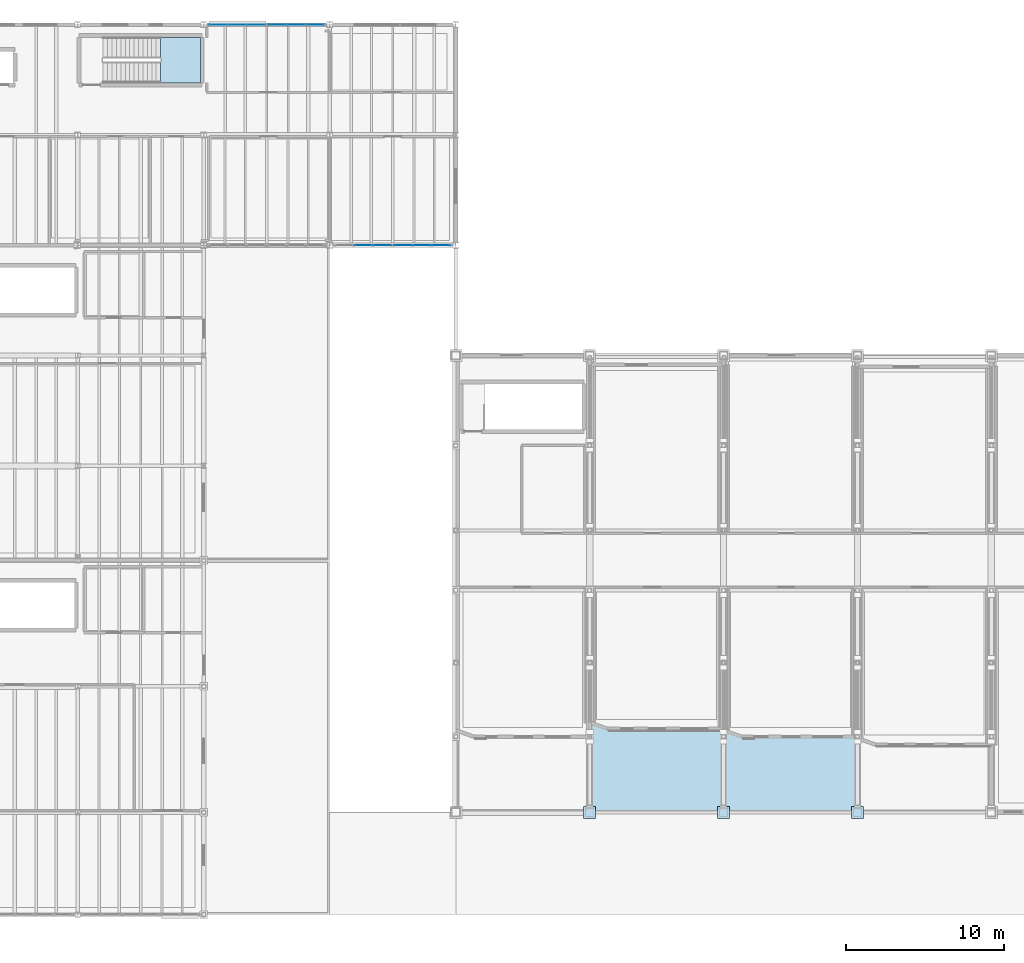
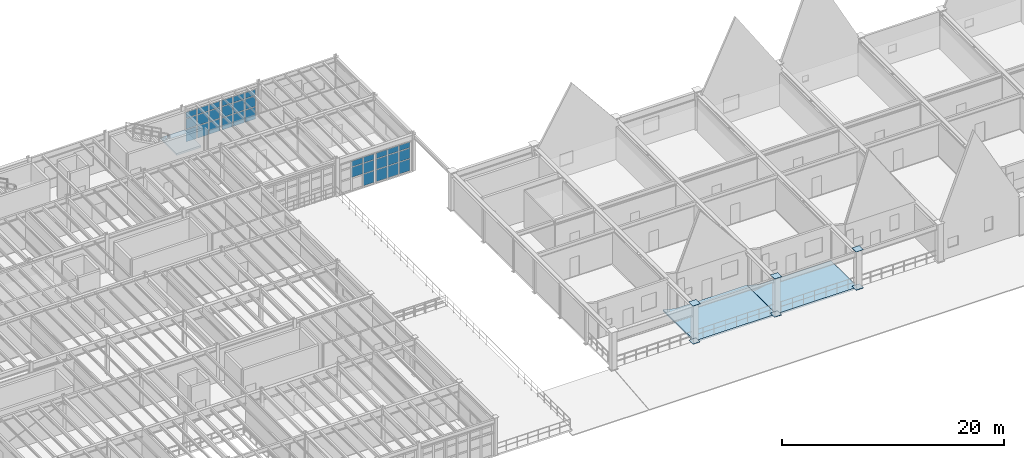
# One storey, part 50 of 78: 38 plates, 3 slabs, 5 elements without a shape of their own.
"""IFC4 building model written with IfcOpenShell, lengths in metres."""

from ifc_helpers import new_model, si_unit, direction, frame, origin, origin_2d, place, context, subcontext, project, spatial, polyline, rectangle, outline, extrude, material, layer, layer_set, material_profile, profile_set, type_object, element, aggregate, save


model = new_model("IFC4")

# Units and contexts
model_context = context("Model", 3, precision=1e-05, world=origin(), true_north=direction((0.0, 1.0)))
body_context = subcontext(model_context, "Body", "Model", "MODEL_VIEW")
ifc_project = project(units=[si_unit("LENGTHUNIT", "METRE"), si_unit("AREAUNIT", "SQUARE_METRE"), si_unit("VOLUMEUNIT", "CUBIC_METRE"), si_unit("PLANEANGLEUNIT", "RADIAN"), si_unit("MASSUNIT", "GRAM", prefix="KILO"), si_unit("THERMODYNAMICTEMPERATUREUNIT", "KELVIN"), si_unit("POWERUNIT", "WATT")], contexts=[model_context])

# Site, building, storey
site_placement = place(None, origin())
site = spatial("IfcSite", under=ifc_project, at=site_placement, CompositionType="ELEMENT")
building_placement = place(site_placement, origin())
building = spatial("IfcBuilding", under=site, at=building_placement, Name="Zhenchuan Central Fire Station", CompositionType="ELEMENT")
storey_placement = place(building_placement, frame((0.0, 0.0, 5.85009765625)))
storey = spatial("IfcBuildingStorey", under=building, at=storey_placement, Name="L02", CompositionType="ELEMENT", Elevation=5.85009765625)

# Curtain wall, plates
ifc_material_1 = material(Name="Anodised aluminium and low-E glazing", Category="aluminium")
curtain_wall_type_1 = type_object("IfcCurtainWallType", Name="CW-MOD-09", PredefinedType="USERDEFINED", material=ifc_material_1)
curtain_wall_1_placement = place(storey_placement, origin())
curtain_wall_1 = element("IfcCurtainWall", 1, at=curtain_wall_1_placement, inside=storey, type_object=curtain_wall_type_1, Name="L02 Unitised Curtain Wall 060", ObjectType="UNITISED GLAZING", PredefinedType="USERDEFINED")
ifc_material_2 = material(Name="Laminated low-E double glazing", Category="glass")
ifc_layer_1 = layer(ifc_material_2, 0.011962890625, Name="Laminated low-E double glazing", Category="glass")
ifc_layer_set_1 = layer_set([ifc_layer_1], Name="Laminated low-E double glazing")
plate_type_1 = type_object("IfcPlateType", Name="CW-PNL12", PredefinedType="CURTAIN_PANEL", material=ifc_layer_set_1)
plate_1_placement = place(storey_placement, frame((40.926513671875, 56.5, 0.06103515625), z_axis=(0.0, 0.0, 1.0), x_axis=(1.0, 0.0, 0.0)))
plate_1 = element("IfcPlate", 2, at=plate_1_placement, type_object=plate_type_1, Name="CW-09 panel 1.1", PredefinedType="CURTAIN_PANEL", context=body_context, shape_type="SweptSolid", body=[
    extrude(rectangle(XDim=1.123046875, YDim=0.011962890625, at=origin_2d()), origin(), (0.0, 0.0, 1.0), 1.33447265625),
])
plate_2_placement = place(storey_placement, frame((40.926513671875, 56.5, 1.46044921875), z_axis=(0.0, 0.0, 1.0), x_axis=(1.0, 0.0, 0.0)))
plate_2 = element("IfcPlate", 3, at=plate_2_placement, type_object=plate_type_1, Name="CW-09 panel 1.2", PredefinedType="CURTAIN_PANEL", context=body_context, shape_type="SweptSolid", body=[
    extrude(rectangle(XDim=1.123046875, YDim=0.011962890625, at=origin_2d()), origin(), (0.0, 0.0, 1.0), 1.158935546875),
])
plate_3_placement = place(storey_placement, frame((40.926513671875, 56.5, 2.6845703125), z_axis=(0.0, 0.0, 1.0), x_axis=(1.0, 0.0, 0.0)))
plate_3 = element("IfcPlate", 4, at=plate_3_placement, type_object=plate_type_1, Name="CW-09 panel 1.3", PredefinedType="CURTAIN_PANEL", context=body_context, shape_type="SweptSolid", body=[
    extrude(rectangle(XDim=1.123046875, YDim=0.011962890625, at=origin_2d()), origin(), (0.0, 0.0, 1.0), 0.650390625),
])
plate_4_placement = place(storey_placement, frame((42.131103515625, 56.5, 0.06103515625), z_axis=(0.0, 0.0, 1.0), x_axis=(1.0, 0.0, 0.0)))
plate_4 = element("IfcPlate", 5, at=plate_4_placement, type_object=plate_type_1, Name="CW-09 panel 2.1", PredefinedType="CURTAIN_PANEL", context=body_context, shape_type="SweptSolid", body=[
    extrude(rectangle(XDim=1.15576171875, YDim=0.011962890625, at=origin_2d()), origin(), (0.0, 0.0, 1.0), 1.33447265625),
])
plate_5_placement = place(storey_placement, frame((42.131103515625, 56.5, 1.46044921875), z_axis=(0.0, 0.0, 1.0), x_axis=(1.0, 0.0, 0.0)))
plate_5 = element("IfcPlate", 6, at=plate_5_placement, type_object=plate_type_1, Name="CW-09 panel 2.2", PredefinedType="CURTAIN_PANEL", context=body_context, shape_type="SweptSolid", body=[
    extrude(rectangle(XDim=1.15576171875, YDim=0.011962890625, at=origin_2d()), origin(), (0.0, 0.0, 1.0), 1.158935546875),
])
plate_6_placement = place(storey_placement, frame((42.131103515625, 56.5, 2.6845703125), z_axis=(0.0, 0.0, 1.0), x_axis=(1.0, 0.0, 0.0)))
plate_6 = element("IfcPlate", 7, at=plate_6_placement, type_object=plate_type_1, Name="CW-09 panel 2.3", PredefinedType="CURTAIN_PANEL", context=body_context, shape_type="SweptSolid", body=[
    extrude(rectangle(XDim=1.15576171875, YDim=0.011962890625, at=origin_2d()), origin(), (0.0, 0.0, 1.0), 0.650390625),
])
plate_7_placement = place(storey_placement, frame((43.33544921875, 56.5, 0.06103515625), z_axis=(0.0, 0.0, 1.0), x_axis=(1.0, 0.0, 0.0)))
plate_7 = element("IfcPlate", 8, at=plate_7_placement, type_object=plate_type_1, Name="CW-09 panel 3.1", PredefinedType="CURTAIN_PANEL", context=body_context, shape_type="SweptSolid", body=[
    extrude(rectangle(XDim=1.123046875, YDim=0.011962890625, at=origin_2d()), origin(), (0.0, 0.0, 1.0), 1.33447265625),
])
plate_8_placement = place(storey_placement, frame((43.33544921875, 56.5, 1.46044921875), z_axis=(0.0, 0.0, 1.0), x_axis=(1.0, 0.0, 0.0)))
plate_8 = element("IfcPlate", 9, at=plate_8_placement, type_object=plate_type_1, Name="CW-09 panel 3.2", PredefinedType="CURTAIN_PANEL", context=body_context, shape_type="SweptSolid", body=[
    extrude(rectangle(XDim=1.123046875, YDim=0.011962890625, at=origin_2d()), origin(), (0.0, 0.0, 1.0), 1.158935546875),
])
plate_9_placement = place(storey_placement, frame((43.33544921875, 56.5, 2.6845703125), z_axis=(0.0, 0.0, 1.0), x_axis=(1.0, 0.0, 0.0)))
plate_9 = element("IfcPlate", 10, at=plate_9_placement, type_object=plate_type_1, Name="CW-09 panel 3.3", PredefinedType="CURTAIN_PANEL", context=body_context, shape_type="SweptSolid", body=[
    extrude(rectangle(XDim=1.123046875, YDim=0.011962890625, at=origin_2d()), origin(), (0.0, 0.0, 1.0), 0.650390625),
])
aggregate(curtain_wall_1, [plate_1, plate_2, plate_3, plate_4, plate_5, plate_6, plate_7, plate_8, plate_9])

curtain_wall_type_2 = type_object("IfcCurtainWallType", Name="CW-MOD-10", PredefinedType="USERDEFINED", material=ifc_material_1)
curtain_wall_2_placement = place(storey_placement, origin())
curtain_wall_2 = element("IfcCurtainWall", 11, at=curtain_wall_2_placement, inside=storey, type_object=curtain_wall_type_2, Name="L02 Unitised Curtain Wall 061", ObjectType="UNITISED GLAZING", PredefinedType="USERDEFINED")
plate_10_placement = place(storey_placement, frame((44.66455078125, 56.5, 0.06103515625), z_axis=(0.0, 0.0, 1.0), x_axis=(1.0, 0.0, 0.0)))
plate_10 = element("IfcPlate", 12, at=plate_10_placement, type_object=plate_type_1, Name="CW-10 panel 1.1", PredefinedType="CURTAIN_PANEL", context=body_context, shape_type="SweptSolid", body=[
    extrude(rectangle(XDim=1.123046875, YDim=0.011962890625, at=origin_2d()), origin(), (0.0, 0.0, 1.0), 1.33447265625),
])
plate_11_placement = place(storey_placement, frame((44.66455078125, 56.5, 1.46044921875), z_axis=(0.0, 0.0, 1.0), x_axis=(1.0, 0.0, 0.0)))
plate_11 = element("IfcPlate", 13, at=plate_11_placement, type_object=plate_type_1, Name="CW-10 panel 1.2", PredefinedType="CURTAIN_PANEL", context=body_context, shape_type="SweptSolid", body=[
    extrude(rectangle(XDim=1.123046875, YDim=0.011962890625, at=origin_2d()), origin(), (0.0, 0.0, 1.0), 1.158935546875),
])
plate_12_placement = place(storey_placement, frame((44.66455078125, 56.5, 2.6845703125), z_axis=(0.0, 0.0, 1.0), x_axis=(1.0, 0.0, 0.0)))
plate_12 = element("IfcPlate", 14, at=plate_12_placement, type_object=plate_type_1, Name="CW-10 panel 1.3", PredefinedType="CURTAIN_PANEL", context=body_context, shape_type="SweptSolid", body=[
    extrude(rectangle(XDim=1.123046875, YDim=0.011962890625, at=origin_2d()), origin(), (0.0, 0.0, 1.0), 0.650390625),
])
plate_13_placement = place(storey_placement, frame((45.868896484375, 56.5, 0.06103515625), z_axis=(0.0, 0.0, 1.0), x_axis=(1.0, 0.0, 0.0)))
plate_13 = element("IfcPlate", 15, at=plate_13_placement, type_object=plate_type_1, Name="CW-10 panel 2.1", PredefinedType="CURTAIN_PANEL", context=body_context, shape_type="SweptSolid", body=[
    extrude(rectangle(XDim=1.15576171875, YDim=0.011962890625, at=origin_2d()), origin(), (0.0, 0.0, 1.0), 1.33447265625),
])
plate_14_placement = place(storey_placement, frame((45.868896484375, 56.5, 1.46044921875), z_axis=(0.0, 0.0, 1.0), x_axis=(1.0, 0.0, 0.0)))
plate_14 = element("IfcPlate", 16, at=plate_14_placement, type_object=plate_type_1, Name="CW-10 panel 2.2", PredefinedType="CURTAIN_PANEL", context=body_context, shape_type="SweptSolid", body=[
    extrude(rectangle(XDim=1.15576171875, YDim=0.011962890625, at=origin_2d()), origin(), (0.0, 0.0, 1.0), 1.158935546875),
])
plate_15_placement = place(storey_placement, frame((45.868896484375, 56.5, 2.6845703125), z_axis=(0.0, 0.0, 1.0), x_axis=(1.0, 0.0, 0.0)))
plate_15 = element("IfcPlate", 17, at=plate_15_placement, type_object=plate_type_1, Name="CW-10 panel 2.3", PredefinedType="CURTAIN_PANEL", context=body_context, shape_type="SweptSolid", body=[
    extrude(rectangle(XDim=1.15576171875, YDim=0.011962890625, at=origin_2d()), origin(), (0.0, 0.0, 1.0), 0.650390625),
])
plate_16_placement = place(storey_placement, frame((47.073486328125, 56.5, 0.06103515625), z_axis=(0.0, 0.0, 1.0), x_axis=(1.0, 0.0, 0.0)))
plate_16 = element("IfcPlate", 18, at=plate_16_placement, type_object=plate_type_1, Name="CW-10 panel 3.1", PredefinedType="CURTAIN_PANEL", context=body_context, shape_type="SweptSolid", body=[
    extrude(rectangle(XDim=1.123046875, YDim=0.011962890625, at=origin_2d()), origin(), (0.0, 0.0, 1.0), 1.33447265625),
])
plate_17_placement = place(storey_placement, frame((47.073486328125, 56.5, 1.46044921875), z_axis=(0.0, 0.0, 1.0), x_axis=(1.0, 0.0, 0.0)))
plate_17 = element("IfcPlate", 19, at=plate_17_placement, type_object=plate_type_1, Name="CW-10 panel 3.2", PredefinedType="CURTAIN_PANEL", context=body_context, shape_type="SweptSolid", body=[
    extrude(rectangle(XDim=1.123046875, YDim=0.011962890625, at=origin_2d()), origin(), (0.0, 0.0, 1.0), 1.158935546875),
])
plate_18_placement = place(storey_placement, frame((47.073486328125, 56.5, 2.6845703125), z_axis=(0.0, 0.0, 1.0), x_axis=(1.0, 0.0, 0.0)))
plate_18 = element("IfcPlate", 20, at=plate_18_placement, type_object=plate_type_1, Name="CW-10 panel 3.3", PredefinedType="CURTAIN_PANEL", context=body_context, shape_type="SweptSolid", body=[
    extrude(rectangle(XDim=1.123046875, YDim=0.011962890625, at=origin_2d()), origin(), (0.0, 0.0, 1.0), 0.650390625),
])
aggregate(curtain_wall_2, [plate_10, plate_11, plate_12, plate_13, plate_14, plate_15, plate_16, plate_17, plate_18])

curtain_wall_type_3 = type_object("IfcCurtainWallType", Name="CW-MOD-07", PredefinedType="USERDEFINED", material=ifc_material_1)
curtain_wall_3_placement = place(storey_placement, origin())
curtain_wall_3 = element("IfcCurtainWall", 21, at=curtain_wall_3_placement, inside=storey, type_object=curtain_wall_type_3, Name="L02 Unitised Curtain Wall 064", ObjectType="UNITISED GLAZING", PredefinedType="USERDEFINED")
plate_19_placement = place(storey_placement, frame((50.131103515625, 42.5, 1.416015625), z_axis=(0.0, 0.0, 1.0), x_axis=(1.0, 0.0, 0.0)))
plate_19 = element("IfcPlate", 22, at=plate_19_placement, type_object=plate_type_1, Name="CW-07 panel 2.2", PredefinedType="CURTAIN_PANEL", context=body_context, shape_type="SweptSolid", body=[
    extrude(rectangle(XDim=1.15576171875, YDim=0.011962890625, at=origin_2d()), origin(), (0.0, 0.0, 1.0), 1.120849609375),
])
plate_20_placement = place(storey_placement, frame((50.131103515625, 42.5, 2.6015625), z_axis=(0.0, 0.0, 1.0), x_axis=(1.0, 0.0, 0.0)))
plate_20 = element("IfcPlate", 23, at=plate_20_placement, type_object=plate_type_1, Name="CW-07 panel 2.3", PredefinedType="CURTAIN_PANEL", context=body_context, shape_type="SweptSolid", body=[
    extrude(rectangle(XDim=1.15576171875, YDim=0.011962890625, at=origin_2d()), origin(), (0.0, 0.0, 1.0), 0.627197265625),
])
plate_21_placement = place(storey_placement, frame((51.33544921875, 42.5, 0.060791015625), z_axis=(0.0, 0.0, 1.0), x_axis=(1.0, 0.0, 0.0)))
plate_21 = element("IfcPlate", 24, at=plate_21_placement, type_object=plate_type_1, Name="CW-07 panel 3.1", PredefinedType="CURTAIN_PANEL", context=body_context, shape_type="SweptSolid", body=[
    extrude(rectangle(XDim=1.123046875, YDim=0.011962890625, at=origin_2d()), origin(), (0.0, 0.0, 1.0), 1.2900390625),
])
plate_22_placement = place(storey_placement, frame((51.33544921875, 42.5, 1.416015625), z_axis=(0.0, 0.0, 1.0), x_axis=(1.0, 0.0, 0.0)))
plate_22 = element("IfcPlate", 25, at=plate_22_placement, type_object=plate_type_1, Name="CW-07 panel 3.2", PredefinedType="CURTAIN_PANEL", context=body_context, shape_type="SweptSolid", body=[
    extrude(rectangle(XDim=1.123046875, YDim=0.011962890625, at=origin_2d()), origin(), (0.0, 0.0, 1.0), 1.120849609375),
])
plate_23_placement = place(storey_placement, frame((51.33544921875, 42.5, 2.6015625), z_axis=(0.0, 0.0, 1.0), x_axis=(1.0, 0.0, 0.0)))
plate_23 = element("IfcPlate", 26, at=plate_23_placement, type_object=plate_type_1, Name="CW-07 panel 3.3", PredefinedType="CURTAIN_PANEL", context=body_context, shape_type="SweptSolid", body=[
    extrude(rectangle(XDim=1.123046875, YDim=0.011962890625, at=origin_2d()), origin(), (0.0, 0.0, 1.0), 0.627197265625),
])
aggregate(curtain_wall_3, [plate_19, plate_20, plate_21, plate_22, plate_23])

curtain_wall_type_4 = type_object("IfcCurtainWallType", Name="CW-MOD-08", PredefinedType="USERDEFINED", material=ifc_material_1)
curtain_wall_4_placement = place(storey_placement, origin())
curtain_wall_4 = element("IfcCurtainWall", 27, at=curtain_wall_4_placement, inside=storey, type_object=curtain_wall_type_4, Name="L02 Unitised Curtain Wall 065", ObjectType="UNITISED GLAZING", PredefinedType="USERDEFINED")
plate_24_placement = place(storey_placement, frame((52.66455078125, 42.5, 0.060791015625), z_axis=(0.0, 0.0, 1.0), x_axis=(1.0, 0.0, 0.0)))
plate_24 = element("IfcPlate", 28, at=plate_24_placement, type_object=plate_type_1, Name="CW-08 panel 1.1", PredefinedType="CURTAIN_PANEL", context=body_context, shape_type="SweptSolid", body=[
    extrude(rectangle(XDim=1.123046875, YDim=0.011962890625, at=origin_2d()), origin(), (0.0, 0.0, 1.0), 1.2900390625),
])
plate_25_placement = place(storey_placement, frame((52.66455078125, 42.5, 1.416015625), z_axis=(0.0, 0.0, 1.0), x_axis=(1.0, 0.0, 0.0)))
plate_25 = element("IfcPlate", 29, at=plate_25_placement, type_object=plate_type_1, Name="CW-08 panel 1.2", PredefinedType="CURTAIN_PANEL", context=body_context, shape_type="SweptSolid", body=[
    extrude(rectangle(XDim=1.123046875, YDim=0.011962890625, at=origin_2d()), origin(), (0.0, 0.0, 1.0), 1.120849609375),
])
plate_26_placement = place(storey_placement, frame((52.66455078125, 42.5, 2.6015625), z_axis=(0.0, 0.0, 1.0), x_axis=(1.0, 0.0, 0.0)))
plate_26 = element("IfcPlate", 30, at=plate_26_placement, type_object=plate_type_1, Name="CW-08 panel 1.3", PredefinedType="CURTAIN_PANEL", context=body_context, shape_type="SweptSolid", body=[
    extrude(rectangle(XDim=1.123046875, YDim=0.011962890625, at=origin_2d()), origin(), (0.0, 0.0, 1.0), 0.627197265625),
])
plate_27_placement = place(storey_placement, frame((53.868896484375, 42.5, 0.060791015625), z_axis=(0.0, 0.0, 1.0), x_axis=(1.0, 0.0, 0.0)))
plate_27 = element("IfcPlate", 31, at=plate_27_placement, type_object=plate_type_1, Name="CW-08 panel 2.1", PredefinedType="CURTAIN_PANEL", context=body_context, shape_type="SweptSolid", body=[
    extrude(rectangle(XDim=1.15576171875, YDim=0.011962890625, at=origin_2d()), origin(), (0.0, 0.0, 1.0), 1.2900390625),
])
plate_28_placement = place(storey_placement, frame((53.868896484375, 42.5, 1.416015625), z_axis=(0.0, 0.0, 1.0), x_axis=(1.0, 0.0, 0.0)))
plate_28 = element("IfcPlate", 32, at=plate_28_placement, type_object=plate_type_1, Name="CW-08 panel 2.2", PredefinedType="CURTAIN_PANEL", context=body_context, shape_type="SweptSolid", body=[
    extrude(rectangle(XDim=1.15576171875, YDim=0.011962890625, at=origin_2d()), origin(), (0.0, 0.0, 1.0), 1.120849609375),
])
plate_29_placement = place(storey_placement, frame((53.868896484375, 42.5, 2.6015625), z_axis=(0.0, 0.0, 1.0), x_axis=(1.0, 0.0, 0.0)))
plate_29 = element("IfcPlate", 33, at=plate_29_placement, type_object=plate_type_1, Name="CW-08 panel 2.3", PredefinedType="CURTAIN_PANEL", context=body_context, shape_type="SweptSolid", body=[
    extrude(rectangle(XDim=1.15576171875, YDim=0.011962890625, at=origin_2d()), origin(), (0.0, 0.0, 1.0), 0.627197265625),
])
plate_30_placement = place(storey_placement, frame((55.073486328125, 42.5, 0.060791015625), z_axis=(0.0, 0.0, 1.0), x_axis=(1.0, 0.0, 0.0)))
plate_30 = element("IfcPlate", 34, at=plate_30_placement, type_object=plate_type_1, Name="CW-08 panel 3.1", PredefinedType="CURTAIN_PANEL", context=body_context, shape_type="SweptSolid", body=[
    extrude(rectangle(XDim=1.123046875, YDim=0.011962890625, at=origin_2d()), origin(), (0.0, 0.0, 1.0), 1.2900390625),
])
plate_31_placement = place(storey_placement, frame((55.073486328125, 42.5, 1.416015625), z_axis=(0.0, 0.0, 1.0), x_axis=(1.0, 0.0, 0.0)))
plate_31 = element("IfcPlate", 35, at=plate_31_placement, type_object=plate_type_1, Name="CW-08 panel 3.2", PredefinedType="CURTAIN_PANEL", context=body_context, shape_type="SweptSolid", body=[
    extrude(rectangle(XDim=1.123046875, YDim=0.011962890625, at=origin_2d()), origin(), (0.0, 0.0, 1.0), 1.120849609375),
])
plate_32_placement = place(storey_placement, frame((55.073486328125, 42.5, 2.6015625), z_axis=(0.0, 0.0, 1.0), x_axis=(1.0, 0.0, 0.0)))
plate_32 = element("IfcPlate", 36, at=plate_32_placement, type_object=plate_type_1, Name="CW-08 panel 3.3", PredefinedType="CURTAIN_PANEL", context=body_context, shape_type="SweptSolid", body=[
    extrude(rectangle(XDim=1.123046875, YDim=0.011962890625, at=origin_2d()), origin(), (0.0, 0.0, 1.0), 0.627197265625),
])
aggregate(curtain_wall_4, [plate_24, plate_25, plate_26, plate_27, plate_28, plate_29, plate_30, plate_31, plate_32])

# Plates
ifc_material_3 = material(Name="Steel Q355B", Category="steel")
ifc_material_profile = material_profile(ifc_material_3, rectangle(XDim=0.760009765625, YDim=0.760009765625, at=origin_2d()), Name="PL 760x760x40")
ifc_profile_set = profile_set([ifc_material_profile], Name="Steel Q355B")
plate_type_2 = type_object("IfcPlateType", Name="PL-BAS40-INT", PredefinedType="SHEET", material=ifc_profile_set)
for number, where, z_axis, x_axis, name in (
    (37, (64.5, 6.5, -0.01611328125), (0.0, 0.0, 1.0), (1.0, 0.0, 0.0), "L02 Column 063 end cap plate A"),
    (38, (64.5, 6.5, 4.19580078125), (0.0, 0.0, 1.0), (1.0, 0.0, 0.0), "L02 Column 063 end cap plate B"),
    (39, (73.0, 6.5, -0.01611328125), (0.0, 0.0, 1.0), (1.0, 0.0, 0.0), "L02 Column 065 end cap plate A"),
    (40, (73.0, 6.5, 4.19580078125), (0.0, 0.0, 1.0), (1.0, 0.0, 0.0), "L02 Column 065 end cap plate B"),
    (41, (81.5, 6.5, -0.01611328125), (0.0, 0.0, 1.0), (1.0, 0.0, 0.0), "L02 Column 067 end cap plate A"),
    (42, (81.5, 6.5, 4.19580078125), (0.0, 0.0, 1.0), (1.0, 0.0, 0.0), "L02 Column 067 end cap plate B"),
):
    element("IfcPlate", number, at=place(storey_placement, frame(where, z_axis=z_axis, x_axis=x_axis)), inside=storey, type_object=plate_type_2, Name=name, PredefinedType="SHEET", context=body_context, shape_type="SweptSolid", body=[
        extrude(rectangle(XDim=0.760009765625, YDim=0.760009765625, at=origin_2d()), origin(), (0.0, 0.0, 1.0), 0.02001953125),
    ])

# Slabs
ifc_material_4 = material(Name="Concrete C35/45", Category="concrete")
ifc_layer_2 = layer(ifc_material_4, 0.179931640625, Name="Concrete C35/45", Category="concrete")
ifc_layer_set_2 = layer_set([ifc_layer_2], Name="Concrete C35/45")
slab_type_1 = type_object("IfcSlabType", Name="SL-EXT180", PredefinedType="FLOOR", material=ifc_layer_set_2)
slab_1_placement = place(storey_placement, frame((0.0, 0.0, -0.18017578125)))
element("IfcSlab", 43, at=slab_1_placement, inside=storey, type_object=slab_type_1, Name="L02 Setback Terrace H02", PredefinedType="FLOOR", context=body_context, shape_type="SweptSolid", body=[
    extrude(outline(polyline([(64.5029296875, 6.5), (72.9970703125, 6.5), (72.9970703125, 11.7958984375), (65.60302734375, 11.7958984375), (64.5029296875, 12.196044921875), (64.5029296875, 6.5)])), origin(), (0.0, 0.0, 1.0), 0.18017578125),
])
slab_2_placement = place(storey_placement, frame((0.0, 0.0, -0.18017578125)))
element("IfcSlab", 44, at=slab_2_placement, inside=storey, type_object=slab_type_1, Name="L02 Setback Terrace H03", PredefinedType="FLOOR", context=body_context, shape_type="SweptSolid", body=[
    extrude(outline(polyline([(73.0029296875, 6.5), (81.4970703125, 6.5), (81.4970703125, 11.2958984375), (74.10302734375, 11.2958984375), (73.0029296875, 11.696044921875), (73.0029296875, 6.5)])), origin(), (0.0, 0.0, 1.0), 0.18017578125),
])

# Stair, slab
stair_type = type_object("IfcStairType", Name="ST-CORE-TYP", PredefinedType="HALF_TURN_STAIR", material=ifc_material_4)
stair_placement = place(storey_placement, origin())
stair = element("IfcStair", 45, at=stair_placement, inside=storey, type_object=stair_type, Name="L02 Crew East Turnout Stair", PredefinedType="HALF_TURN_STAIR")
ifc_layer_3 = layer(ifc_material_4, 0.159912109375, Name="Concrete C35/45", Category="concrete")
ifc_layer_set_3 = layer_set([ifc_layer_3], Name="Concrete C35/45")
slab_type_2 = type_object("IfcSlabType", Name="SL-LND160", PredefinedType="LANDING", material=ifc_layer_set_3)
slab_3_placement = place(storey_placement, frame((0.0, 0.0, 1.89990234375)))
slab_3 = element("IfcSlab", 46, at=slab_3_placement, type_object=slab_type_2, Name="ST-07 landing 1", PredefinedType="LANDING", context=body_context, shape_type="SweptSolid", body=[
    extrude(outline(polyline([(37.260009765625, 52.800048828125), (39.780029296875, 52.800048828125), (39.780029296875, 55.699951171875), (37.260009765625, 55.699951171875), (37.260009765625, 52.800048828125)])), origin(), (0.0, 0.0, 1.0), 0.199951171875),
])
aggregate(stair, [slab_3])

save(model, "model.ifc")
